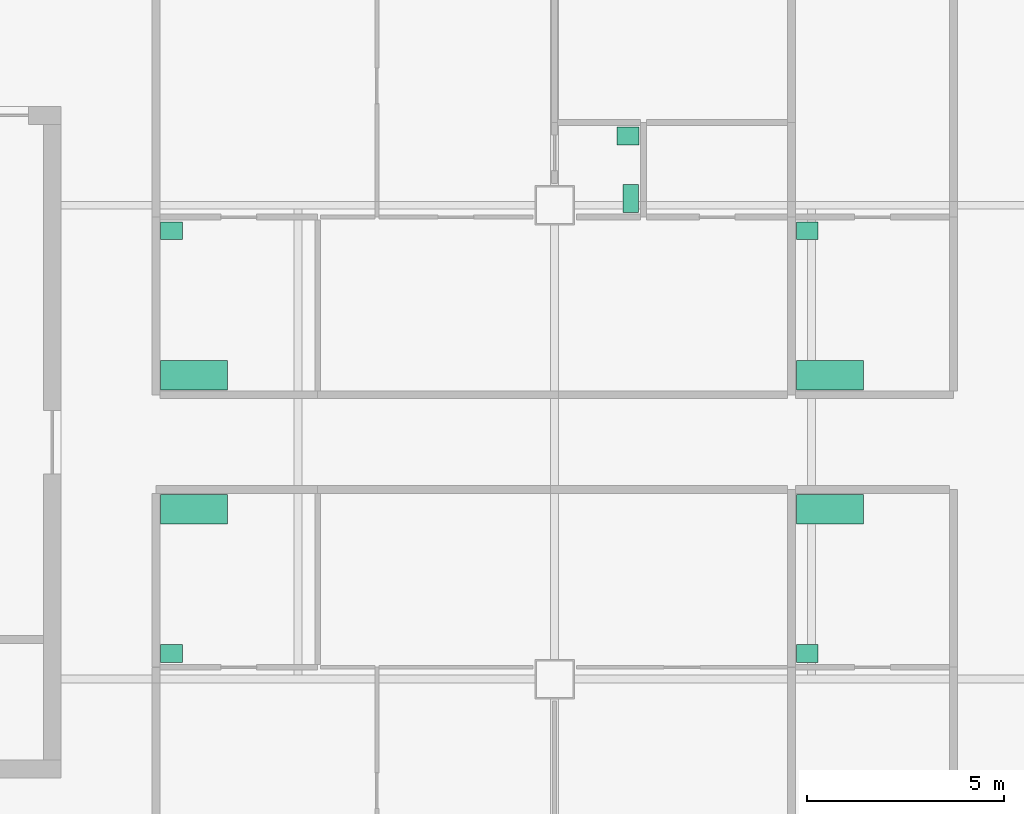
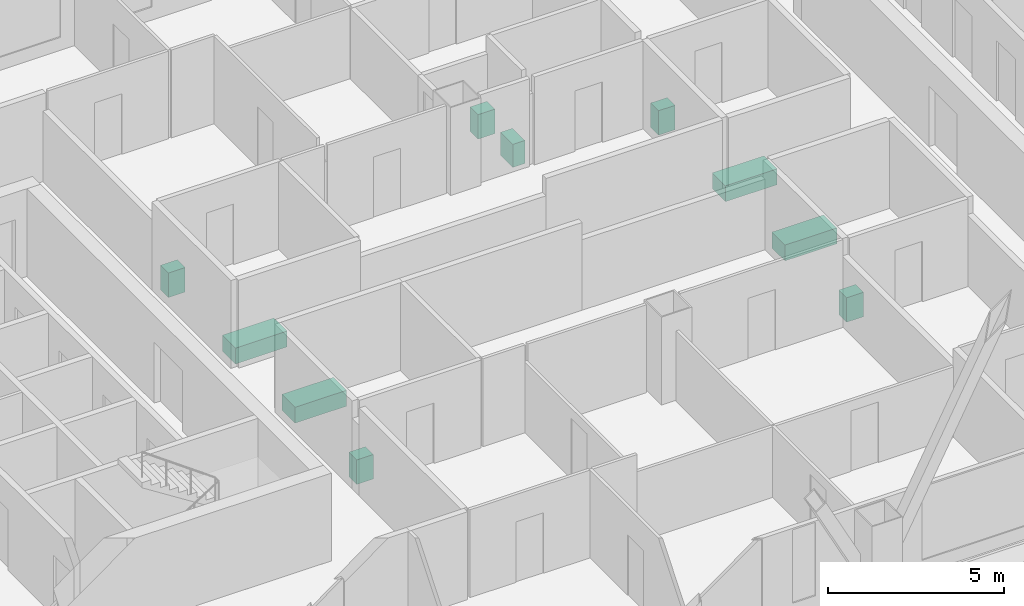
# One storey, part 8 of 8: 10 sanitary terminals.
"""IFC4 building model written with IfcOpenShell, lengths in metres."""

from ifc_helpers import new_model, si_unit, direction, frame, origin, origin_2d, place, context, subcontext, project, spatial, rectangle, extrude, material, type_object, element, save


model = new_model("IFC4")

# Units and contexts
model_context = context("Model", 3, precision=1e-05, world=origin(), true_north=direction((0.0, 1.0)))
body_context = subcontext(model_context, "Body", "Model", "MODEL_VIEW")
ifc_project = project(units=[si_unit("LENGTHUNIT", "METRE"), si_unit("AREAUNIT", "SQUARE_METRE"), si_unit("VOLUMEUNIT", "CUBIC_METRE"), si_unit("PLANEANGLEUNIT", "RADIAN"), si_unit("MASSUNIT", "GRAM", prefix="KILO")], contexts=[model_context])

# Site, building, storey
site_placement = place(None, origin())
site = spatial("IfcSite", under=ifc_project, at=site_placement, CompositionType="ELEMENT")
building_placement = place(site_placement, origin())
building = spatial("IfcBuilding", under=site, at=building_placement, Name="Kitamizu Gate Tower and Museum", CompositionType="ELEMENT")
storey_placement = place(building_placement, frame((0.0, 0.0, 259.35009765625)))
storey = spatial("IfcBuildingStorey", under=building, at=storey_placement, Name="L70", CompositionType="ELEMENT", Elevation=259.35009765625)

# Sanitary terminals
ifc_material_1 = material(Name="Acrylic")
sanitary_terminal_type_1 = type_object("IfcSanitaryTerminalType", Name="Bath", PredefinedType="BATH", material=ifc_material_1)
for number, where, z_axis, x_axis, name in (
    (1, (26.8701171875, 28.304931640625, 0.0009765625), (0.0, 0.0, 1.0), (1.0, 0.0, 0.0), "Bath Bathroom and WC 70A"),
    (2, (26.8701171875, 31.695068359375, 0.0009765625), (0.0, 0.0, 1.0), (1.0, 0.0, 0.0), "Bath Bathroom 70B"),
    (3, (42.969970703125, 28.304931640625, 0.0009765625), (0.0, 0.0, 1.0), (1.0, 0.0, 0.0), "Bath Bathroom and WC 70C"),
    (4, (42.969970703125, 31.695068359375, 0.0009765625), (0.0, 0.0, 1.0), (1.0, 0.0, 0.0), "Bath Bathroom and WC 70D"),
):
    element("IfcSanitaryTerminal", number, at=place(storey_placement, frame(where, z_axis=z_axis, x_axis=x_axis)), inside=storey, type_object=sanitary_terminal_type_1, Name=name, PredefinedType="BATH", context=body_context, shape_type="SweptSolid", body=[
        extrude(rectangle(XDim=1.699951171875, YDim=0.75, at=origin_2d()), origin(), (0.0, 0.0, 1.0), 0.550048828125),
    ])
ifc_material_2 = material(Name="Vitreous china")
sanitary_terminal_type_2 = type_object("IfcSanitaryTerminalType", Name="Wash hand basin", PredefinedType="WASHHANDBASIN", material=ifc_material_2)
for number, where, z_axis, x_axis, name in (
    (5, (26.294921875, 24.64501953125, 0.000732421875), (0.0, 0.0, 1.0), (1.0, 0.0, 0.0), "Wash hand basin Bathroom and WC 70A"),
    (6, (37.85498046875, 37.7548828125, 0.000732421875), (0.0, 0.0, 1.0), (1.0, 0.0, 0.0), "Wash hand basin WC 70B"),
    (7, (26.294921875, 35.35498046875, 0.000732421875), (0.0, 0.0, 1.0), (1.0, 0.0, 0.0), "Wash hand basin Bathroom 70B"),
    (8, (42.39501953125, 24.64501953125, 0.000732421875), (0.0, 0.0, 1.0), (1.0, 0.0, 0.0), "Wash hand basin Bathroom and WC 70C"),
    (9, (42.39501953125, 35.35498046875, 0.000732421875), (0.0, 0.0, 1.0), (1.0, 0.0, 0.0), "Wash hand basin Bathroom and WC 70D"),
):
    element("IfcSanitaryTerminal", number, at=place(storey_placement, frame(where, z_axis=z_axis, x_axis=x_axis)), inside=storey, type_object=sanitary_terminal_type_2, Name=name, PredefinedType="WASHHANDBASIN", context=body_context, shape_type="SweptSolid", body=[
        extrude(rectangle(XDim=0.550048828125, YDim=0.449951171875, at=origin_2d()), origin(), (0.0, 0.0, 1.0), 0.85009765625),
    ])
ifc_material_3 = material(Name="Vitreous china")
sanitary_terminal_type_3 = type_object("IfcSanitaryTerminalType", Name="Water closet", PredefinedType="TOILETPAN", material=ifc_material_3)
sanitary_terminal_placement = place(storey_placement, frame((37.929931640625, 36.169921875, 0.0009765625), z_axis=(0.0, 0.0, 1.0), x_axis=(1.0, 0.0, 0.0)))
element("IfcSanitaryTerminal", 10, at=sanitary_terminal_placement, inside=storey, type_object=sanitary_terminal_type_3, Name="Water closet WC 70B", PredefinedType="TOILETPAN", context=body_context, shape_type="SweptSolid", body=[
    extrude(rectangle(XDim=0.39990234375, YDim=0.699951171875, at=origin_2d()), origin(), (0.0, 0.0, 1.0), 0.800048828125),
])

save(model, "model.ifc")
